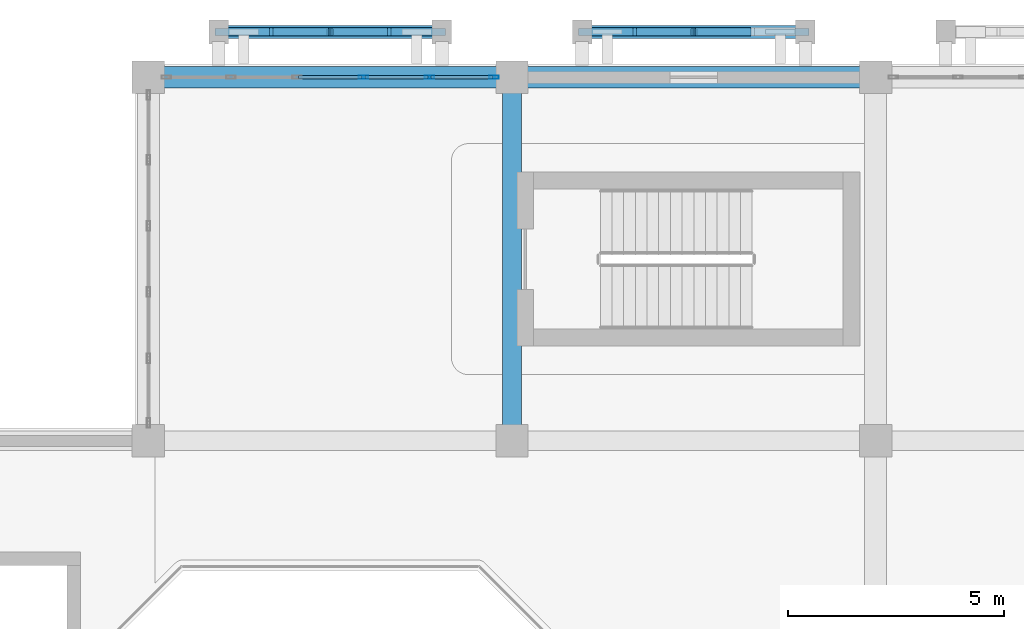
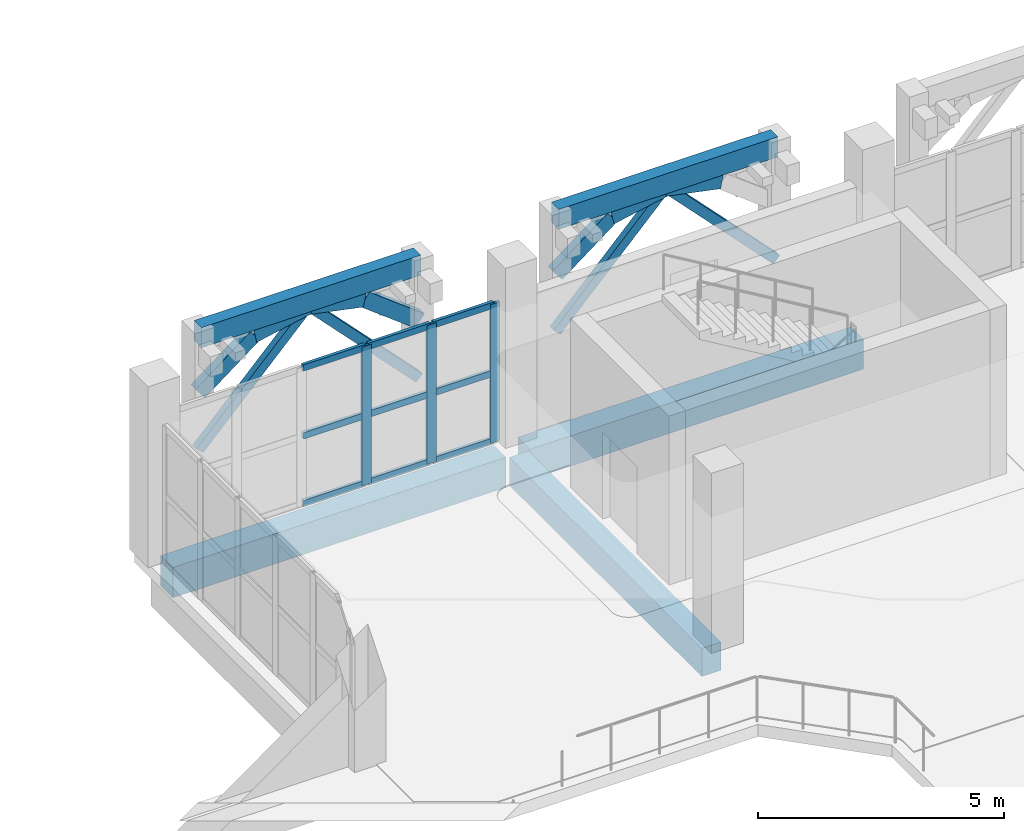
# One storey, part 55 of 114: 23 members, 5 beams, 1 element without a shape of its own.
"""IFC4 building model written with IfcOpenShell, lengths in metres."""

from ifc_helpers import new_model, si_unit, direction, frame, origin, origin_2d, place, context, subcontext, project, spatial, rectangle, hollow_rectangle, extrude, material, layer, layer_set, material_profile, profile_set, type_object, element, aggregate, save


model = new_model("IFC4")

# Units and contexts
model_context = context("Model", 3, precision=1e-05, world=origin(), true_north=direction((0.0, 1.0)))
body_context = subcontext(model_context, "Body", "Model", "MODEL_VIEW")
ifc_project = project(units=[si_unit("LENGTHUNIT", "METRE"), si_unit("AREAUNIT", "SQUARE_METRE"), si_unit("VOLUMEUNIT", "CUBIC_METRE"), si_unit("PLANEANGLEUNIT", "RADIAN"), si_unit("MASSUNIT", "GRAM", prefix="KILO")], contexts=[model_context])

# Site, building, storey
site_placement = place(None, origin())
site = spatial("IfcSite", under=ifc_project, at=site_placement, CompositionType="ELEMENT")
building_placement = place(site_placement, origin())
building = spatial("IfcBuilding", under=site, at=building_placement, Name="Xazarin Passage Department Store", CompositionType="ELEMENT")
storey_placement = place(building_placement, frame((0.0, 0.0, 14.39990234375)))
storey = spatial("IfcBuildingStorey", under=building, at=storey_placement, Name="L03", CompositionType="ELEMENT", Elevation=14.39990234375)

# Curtain wall, members
ifc_material_1 = material(Name="Bronze anodised aluminium", Category="aluminium")
ifc_layer = layer(ifc_material_1, 0.199951171875)
ifc_layer_set = layer_set([ifc_layer], Name="Bronze anodised aluminium")
curtain_wall_type = type_object("IfcCurtainWallType", Name="ARC-CW-VIT2", PredefinedType="NOTDEFINED", material=ifc_layer_set)
curtain_wall_placement = place(storey_placement, origin())
curtain_wall = element("IfcCurtainWall", 1, at=curtain_wall_placement, inside=storey, type_object=curtain_wall_type, Name="L03 V1 Curtain Wall 061", PredefinedType="NOTDEFINED")
ifc_material_profile_1 = material_profile(ifc_material_1, hollow_rectangle(XDim=0.074951171875, YDim=0.219970703125, WallThickness=0.0048828125, at=origin_2d()), Name="ALU 75x220")
ifc_profile_set_1 = profile_set([ifc_material_profile_1], Name="Bronze anodised aluminium")
member_type_1 = type_object("IfcMemberType", Name="ARC-CWM-75x220", PredefinedType="MULLION", material=ifc_profile_set_1)
member_1_placement = place(storey_placement, frame((21.764892578125, 110.0, 0.0), z_axis=(0.0, 0.0, 1.0), x_axis=(0.0, 1.0, 0.0)))
member_1 = element("IfcMember", 2, at=member_1_placement, type_object=member_type_1, Name="CW2 mullion 4", PredefinedType="MULLION", context=body_context, shape_type="SweptSolid", body=[
    extrude(hollow_rectangle(XDim=0.074951171875, YDim=0.219970703125, WallThickness=0.0048828125, at=origin_2d()), origin(), (0.0, 0.0, 1.0), 3.4501953125),
])
member_2_placement = place(storey_placement, frame((23.294921875, 110.0, 0.0), z_axis=(0.0, 0.0, 1.0), x_axis=(0.0, 1.0, 0.0)))
member_2 = element("IfcMember", 3, at=member_2_placement, type_object=member_type_1, Name="CW2 mullion 5", PredefinedType="MULLION", context=body_context, shape_type="SweptSolid", body=[
    extrude(hollow_rectangle(XDim=0.074951171875, YDim=0.219970703125, WallThickness=0.0048828125, at=origin_2d()), origin(), (0.0, 0.0, 1.0), 3.4501953125),
])
member_3_placement = place(storey_placement, frame((24.78759765625, 110.0, 0.0), z_axis=(0.0, 0.0, 1.0), x_axis=(0.0, 1.0, 0.0)))
member_3 = element("IfcMember", 4, at=member_3_placement, type_object=member_type_1, Name="CW2 mullion 6", PredefinedType="MULLION", context=body_context, shape_type="SweptSolid", body=[
    extrude(hollow_rectangle(XDim=0.074951171875, YDim=0.219970703125, WallThickness=0.0048828125, at=origin_2d()), origin(), (0.0, 0.0, 1.0), 3.4501953125),
])
ifc_material_profile_2 = material_profile(ifc_material_1, hollow_rectangle(XDim=0.074951171875, YDim=0.159912109375, WallThickness=0.00439453125, at=origin_2d()), Name="ALU 75x160")
ifc_profile_set_2 = profile_set([ifc_material_profile_2], Name="Bronze anodised aluminium")
member_type_2 = type_object("IfcMemberType", Name="ARC-CWT-75x160", PredefinedType="USERDEFINED", material=ifc_profile_set_2)
member_4_placement = place(storey_placement, frame((20.2724609375, 110.0, 0.03759765625), z_axis=(1.0, 0.0, 0.0), x_axis=(0.0, 1.0, 0.0)))
member_4 = element("IfcMember", 5, at=member_4_placement, type_object=member_type_2, Name="CW2 transom 3.1", ObjectType="TRANSOM", PredefinedType="USERDEFINED", context=body_context, shape_type="SweptSolid", body=[
    extrude(hollow_rectangle(XDim=0.074951171875, YDim=0.159912109375, WallThickness=0.00439453125, at=origin_2d()), origin(), (0.0, 0.0, 1.0), 1.455078125),
])
member_5_placement = place(storey_placement, frame((20.2724609375, 110.0, 1.72509765625), z_axis=(1.0, 0.0, 0.0), x_axis=(0.0, 1.0, 0.0)))
member_5 = element("IfcMember", 6, at=member_5_placement, type_object=member_type_2, Name="CW2 transom 3.2", ObjectType="TRANSOM", PredefinedType="USERDEFINED", context=body_context, shape_type="SweptSolid", body=[
    extrude(hollow_rectangle(XDim=0.074951171875, YDim=0.159912109375, WallThickness=0.00439453125, at=origin_2d()), origin(), (0.0, 0.0, 1.0), 1.455078125),
])
member_6_placement = place(storey_placement, frame((20.2724609375, 110.0, 3.41259765625), z_axis=(1.0, 0.0, 0.0), x_axis=(0.0, 1.0, 0.0)))
member_6 = element("IfcMember", 7, at=member_6_placement, type_object=member_type_2, Name="CW2 transom 3.3", ObjectType="TRANSOM", PredefinedType="USERDEFINED", context=body_context, shape_type="SweptSolid", body=[
    extrude(hollow_rectangle(XDim=0.074951171875, YDim=0.159912109375, WallThickness=0.00439453125, at=origin_2d()), origin(), (0.0, 0.0, 1.0), 1.455078125),
])
member_7_placement = place(storey_placement, frame((21.802490234375, 110.0, 0.03759765625), z_axis=(1.0, 0.0, 0.0), x_axis=(0.0, 1.0, 0.0)))
member_7 = element("IfcMember", 8, at=member_7_placement, type_object=member_type_2, Name="CW2 transom 4.1", ObjectType="TRANSOM", PredefinedType="USERDEFINED", context=body_context, shape_type="SweptSolid", body=[
    extrude(hollow_rectangle(XDim=0.074951171875, YDim=0.159912109375, WallThickness=0.00439453125, at=origin_2d()), origin(), (0.0, 0.0, 1.0), 1.455078125),
])
member_8_placement = place(storey_placement, frame((21.802490234375, 110.0, 1.72509765625), z_axis=(1.0, 0.0, 0.0), x_axis=(0.0, 1.0, 0.0)))
member_8 = element("IfcMember", 9, at=member_8_placement, type_object=member_type_2, Name="CW2 transom 4.2", ObjectType="TRANSOM", PredefinedType="USERDEFINED", context=body_context, shape_type="SweptSolid", body=[
    extrude(hollow_rectangle(XDim=0.074951171875, YDim=0.159912109375, WallThickness=0.00439453125, at=origin_2d()), origin(), (0.0, 0.0, 1.0), 1.455078125),
])
member_9_placement = place(storey_placement, frame((21.802490234375, 110.0, 3.41259765625), z_axis=(1.0, 0.0, 0.0), x_axis=(0.0, 1.0, 0.0)))
member_9 = element("IfcMember", 10, at=member_9_placement, type_object=member_type_2, Name="CW2 transom 4.3", ObjectType="TRANSOM", PredefinedType="USERDEFINED", context=body_context, shape_type="SweptSolid", body=[
    extrude(hollow_rectangle(XDim=0.074951171875, YDim=0.159912109375, WallThickness=0.00439453125, at=origin_2d()), origin(), (0.0, 0.0, 1.0), 1.455078125),
])
member_10_placement = place(storey_placement, frame((23.33251953125, 110.0, 0.03759765625), z_axis=(1.0, 0.0, 0.0), x_axis=(0.0, 1.0, 0.0)))
member_10 = element("IfcMember", 11, at=member_10_placement, type_object=member_type_2, Name="CW2 transom 5.1", ObjectType="TRANSOM", PredefinedType="USERDEFINED", context=body_context, shape_type="SweptSolid", body=[
    extrude(hollow_rectangle(XDim=0.074951171875, YDim=0.159912109375, WallThickness=0.00439453125, at=origin_2d()), origin(), (0.0, 0.0, 1.0), 1.41748046875),
])
member_11_placement = place(storey_placement, frame((23.33251953125, 110.0, 1.72509765625), z_axis=(1.0, 0.0, 0.0), x_axis=(0.0, 1.0, 0.0)))
member_11 = element("IfcMember", 12, at=member_11_placement, type_object=member_type_2, Name="CW2 transom 5.2", ObjectType="TRANSOM", PredefinedType="USERDEFINED", context=body_context, shape_type="SweptSolid", body=[
    extrude(hollow_rectangle(XDim=0.074951171875, YDim=0.159912109375, WallThickness=0.00439453125, at=origin_2d()), origin(), (0.0, 0.0, 1.0), 1.41748046875),
])
member_12_placement = place(storey_placement, frame((23.33251953125, 110.0, 3.41259765625), z_axis=(1.0, 0.0, 0.0), x_axis=(0.0, 1.0, 0.0)))
member_12 = element("IfcMember", 13, at=member_12_placement, type_object=member_type_2, Name="CW2 transom 5.3", ObjectType="TRANSOM", PredefinedType="USERDEFINED", context=body_context, shape_type="SweptSolid", body=[
    extrude(hollow_rectangle(XDim=0.074951171875, YDim=0.159912109375, WallThickness=0.00439453125, at=origin_2d()), origin(), (0.0, 0.0, 1.0), 1.41748046875),
])
aggregate(curtain_wall, [member_1, member_2, member_3, member_4, member_5, member_6, member_7, member_8, member_9, member_10, member_11, member_12])

# Beams
ifc_material_2 = material(Name="Concrete C35/45", Category="concrete")
ifc_material_profile_3 = material_profile(ifc_material_2, rectangle(XDim=0.449951171875, YDim=0.699951171875, at=origin_2d()), Name="RC 450x700")
ifc_profile_set_3 = profile_set([ifc_material_profile_3], Name="Concrete C35/45")
beam_type_1 = type_object("IfcBeamType", Name="STR-BM-G450x700", PredefinedType="BEAM", material=ifc_profile_set_3)
beam_1_placement = place(storey_placement, frame((25.199951171875, 101.8798828125, -0.64990234375), z_axis=(0.0, 1.0, 0.0), x_axis=(-1.0, 0.0, 0.0)))
element("IfcBeam", 14, at=beam_1_placement, inside=storey, type_object=beam_type_1, Name="L03 Grid Beam 4/P-Q", PredefinedType="BEAM", context=body_context, shape_type="SweptSolid", body=[
    extrude(rectangle(XDim=0.449951171875, YDim=0.699951171875, at=origin_2d()), origin(), (0.0, 0.0, 1.0), 7.840087890625),
])
ifc_material_profile_4 = material_profile(ifc_material_2, rectangle(XDim=0.300048828125, YDim=0.5, at=origin_2d()), Name="RC 300x500")
ifc_profile_set_4 = profile_set([ifc_material_profile_4], Name="Concrete C35/45")
beam_type_2 = type_object("IfcBeamType", Name="STR-BM-LN300x500", PredefinedType="LINTEL", material=ifc_profile_set_4)
beam_2_placement = place(storey_placement, frame((18.419921875, 111.050048828125, 4.25), z_axis=(1.0, 0.0, 0.0), x_axis=(0.0, 1.0, 0.0)))
element("IfcBeam", 15, at=beam_2_placement, inside=storey, type_object=beam_type_2, Name="L03 V1 Colonnade Spandrel Beam 001", PredefinedType="LINTEL", context=body_context, shape_type="SweptSolid", body=[
    extrude(rectangle(XDim=0.300048828125, YDim=0.5, at=origin_2d()), origin(), (0.0, 0.0, 1.0), 5.16015625),
])
beam_3_placement = place(storey_placement, frame((26.820068359375, 111.050048828125, 4.25), z_axis=(1.0, 0.0, 0.0), x_axis=(0.0, 1.0, 0.0)))
element("IfcBeam", 16, at=beam_3_placement, inside=storey, type_object=beam_type_2, Name="L03 V1 Colonnade Spandrel Beam 002", PredefinedType="LINTEL", context=body_context, shape_type="SweptSolid", body=[
    extrude(rectangle(XDim=0.300048828125, YDim=0.5, at=origin_2d()), origin(), (0.0, 0.0, 1.0), 5.159912109375),
])
ifc_material_profile_5 = material_profile(ifc_material_2, rectangle(XDim=0.5, YDim=0.75, at=origin_2d()), Name="RC 500x750")
ifc_profile_set_5 = profile_set([ifc_material_profile_5], Name="Concrete C35/45")
beam_type_3 = type_object("IfcBeamType", Name="STR-BM-SP500x750", PredefinedType="SPANDREL", material=ifc_profile_set_5)
beam_4_placement = place(storey_placement, frame((17.080078125, 110.0, -0.6748046875), z_axis=(1.0, 0.0, 0.0), x_axis=(0.0, 1.0, 0.0)))
element("IfcBeam", 17, at=beam_4_placement, inside=storey, type_object=beam_type_3, Name="L03 Grid Beam Q/3-4", PredefinedType="SPANDREL", context=body_context, shape_type="SweptSolid", body=[
    extrude(rectangle(XDim=0.5, YDim=0.75, at=origin_2d()), origin(), (0.0, 0.0, 1.0), 7.83984375),
])
beam_5_placement = place(storey_placement, frame((25.47998046875, 110.0, -0.6748046875), z_axis=(1.0, 0.0, 0.0), x_axis=(0.0, 1.0, 0.0)))
element("IfcBeam", 18, at=beam_5_placement, inside=storey, type_object=beam_type_3, Name="L03 Grid Beam Q/4-5", PredefinedType="SPANDREL", context=body_context, shape_type="SweptSolid", body=[
    extrude(rectangle(XDim=0.5, YDim=0.75, at=origin_2d()), origin(), (0.0, 0.0, 1.0), 7.840087890625),
])

# Members
ifc_material_3 = material(Name="Concrete C40/50", Category="concrete")
ifc_material_profile_6 = material_profile(ifc_material_3, rectangle(XDim=0.199951171875, YDim=0.360107421875, at=origin_2d()), Name="RC 200x360")
ifc_profile_set_6 = profile_set([ifc_material_profile_6], Name="Concrete C40/50")
member_type_3 = type_object("IfcMemberType", Name="STR-MEM-ARC360", PredefinedType="CHORD", material=ifc_profile_set_6)
member_13_placement = place(storey_placement, frame((18.419921875, 111.050048828125, 2.830078125), z_axis=(0.79440903847, 0.0, 0.607383140692), x_axis=(0.0, 1.0, 0.0)))
element("IfcMember", 19, at=member_13_placement, inside=storey, type_object=member_type_3, Name="L03 V1 Pierced Lattice Curved Arch 001.1", PredefinedType="CHORD", context=body_context, shape_type="SweptSolid", body=[
    extrude(rectangle(XDim=0.199951171875, YDim=0.360107421875, at=origin_2d()), origin(), (0.0, 0.0, 1.0), 1.623779296875),
])
for number, where, z_axis, x_axis, name in (
    (20, (19.7099609375, 111.050048828125, 3.81640625), (0.979744705887, 0.0, 0.200250621188), (0.0, 1.0, 0.0), "L03 V1 Pierced Lattice Curved Arch 001.2"),
    (21, (21.0, 111.050048828125, 4.080078125), (0.979744705887, 0.0, -0.200250621188), (0.0, 1.0, 0.0), "L03 V1 Pierced Lattice Curved Arch 001.3"),
):
    element("IfcMember", number, at=place(storey_placement, frame(where, z_axis=z_axis, x_axis=x_axis)), inside=storey, type_object=member_type_3, Name=name, PredefinedType="CHORD", context=body_context, shape_type="SweptSolid", body=[
        extrude(rectangle(XDim=0.199951171875, YDim=0.360107421875, at=origin_2d()), origin(), (0.0, 0.0, 1.0), 1.316650390625),
    ])
for number, where, z_axis, x_axis, name in (
    (22, (22.2900390625, 111.050048828125, 3.81640625), (0.79440903847, 0.0, -0.607383140692), (0.0, 1.0, 0.0), "L03 V1 Pierced Lattice Curved Arch 001.4"),
    (23, (26.820068359375, 111.050048828125, 2.830078125), (0.79440903847, 0.0, 0.607383140692), (0.0, 1.0, 0.0), "L03 V1 Pierced Lattice Curved Arch 002.1"),
):
    element("IfcMember", number, at=place(storey_placement, frame(where, z_axis=z_axis, x_axis=x_axis)), inside=storey, type_object=member_type_3, Name=name, PredefinedType="CHORD", context=body_context, shape_type="SweptSolid", body=[
        extrude(rectangle(XDim=0.199951171875, YDim=0.360107421875, at=origin_2d()), origin(), (0.0, 0.0, 1.0), 1.623779296875),
    ])
member_14_placement = place(storey_placement, frame((28.110107421875, 111.050048828125, 3.81640625), z_axis=(0.979737268571, 0.0, 0.2002870055), x_axis=(0.0, 1.0, 0.0)))
element("IfcMember", 24, at=member_14_placement, inside=storey, type_object=member_type_3, Name="L03 V1 Pierced Lattice Curved Arch 002.2", PredefinedType="CHORD", context=body_context, shape_type="SweptSolid", body=[
    extrude(rectangle(XDim=0.199951171875, YDim=0.360107421875, at=origin_2d()), origin(), (0.0, 0.0, 1.0), 1.31640625),
])
member_15_placement = place(storey_placement, frame((29.39990234375, 111.050048828125, 4.080078125), z_axis=(0.979744705887, 0.0, -0.200250621188), x_axis=(0.0, 1.0, 0.0)))
element("IfcMember", 25, at=member_15_placement, inside=storey, type_object=member_type_3, Name="L03 V1 Pierced Lattice Curved Arch 002.3", PredefinedType="CHORD", context=body_context, shape_type="SweptSolid", body=[
    extrude(rectangle(XDim=0.199951171875, YDim=0.360107421875, at=origin_2d()), origin(), (0.0, 0.0, 1.0), 1.316650390625),
])
ifc_material_profile_7 = material_profile(ifc_material_3, rectangle(XDim=0.159912109375, YDim=0.219970703125, at=origin_2d()), Name="RC 160x220")
ifc_profile_set_7 = profile_set([ifc_material_profile_7], Name="Concrete C40/50")
member_type_4 = type_object("IfcMemberType", Name="STR-MEM-TRC220", PredefinedType="CHORD", material=ifc_profile_set_7)
for number, where, z_axis, x_axis, name in (
    (26, (21.0, 111.050048828125, 4.080078125), (-0.693558444435, 0.0, -0.720400363793), (0.0, -1.0, 0.0), "L03 V1 Upper Lattice Tracery Arch 001L"),
    (27, (21.0, 111.050048828125, 4.080078125), (0.693558444435, 0.0, -0.720400363793), (0.0, 1.0, 0.0), "L03 V1 Upper Lattice Tracery Arch 001R"),
    (28, (29.39990234375, 111.050048828125, 4.080078125), (-0.693524382622, 0.0, -0.72043315492), (0.0, -1.0, 0.0), "L03 V1 Upper Lattice Tracery Arch 002L"),
    (29, (29.39990234375, 111.050048828125, 4.080078125), (0.693558444435, 0.0, -0.720400363793), (0.0, 1.0, 0.0), "L03 V1 Upper Lattice Tracery Arch 002R"),
):
    element("IfcMember", number, at=place(storey_placement, frame(where, z_axis=z_axis, x_axis=x_axis)), inside=storey, type_object=member_type_4, Name=name, PredefinedType="CHORD", context=body_context, shape_type="SweptSolid", body=[
        extrude(rectangle(XDim=0.159912109375, YDim=0.219970703125, at=origin_2d()), origin(), (0.0, 0.0, 1.0), 3.719970703125),
    ])

save(model, "model.ifc")
